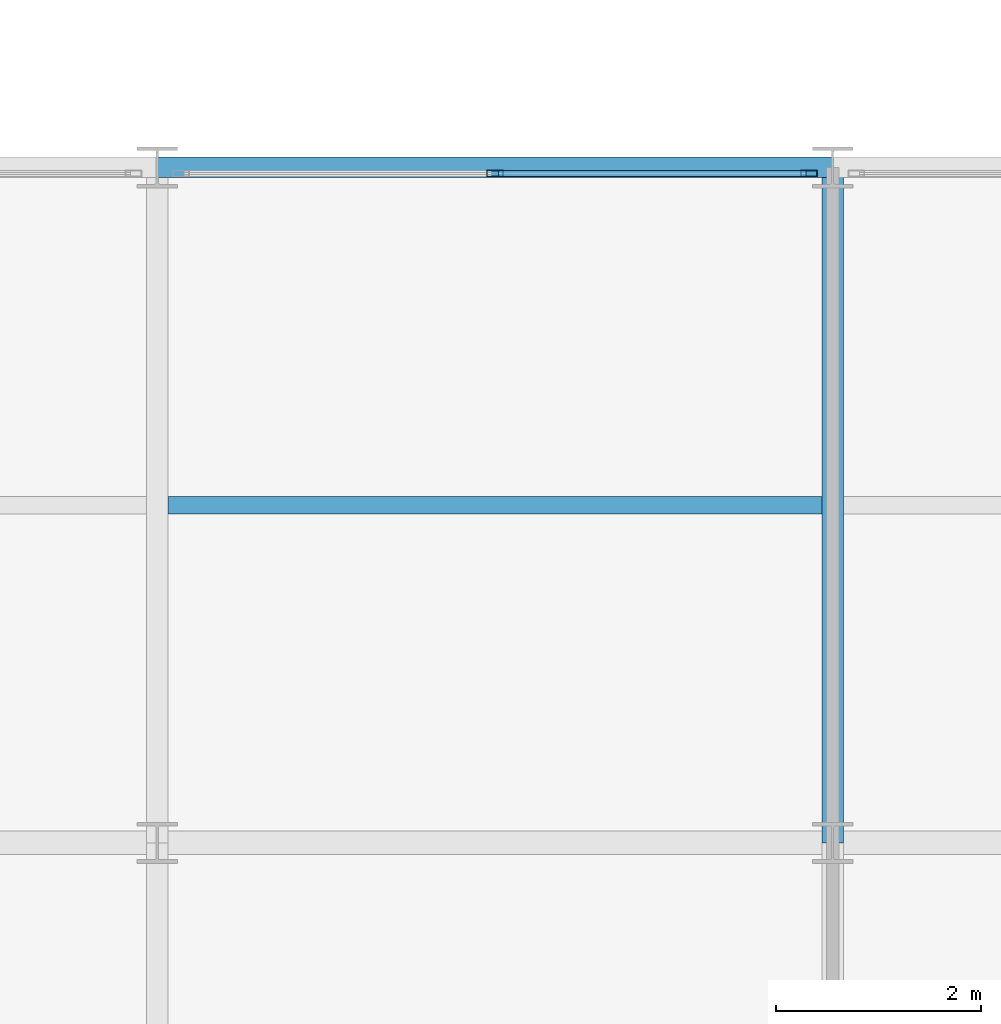
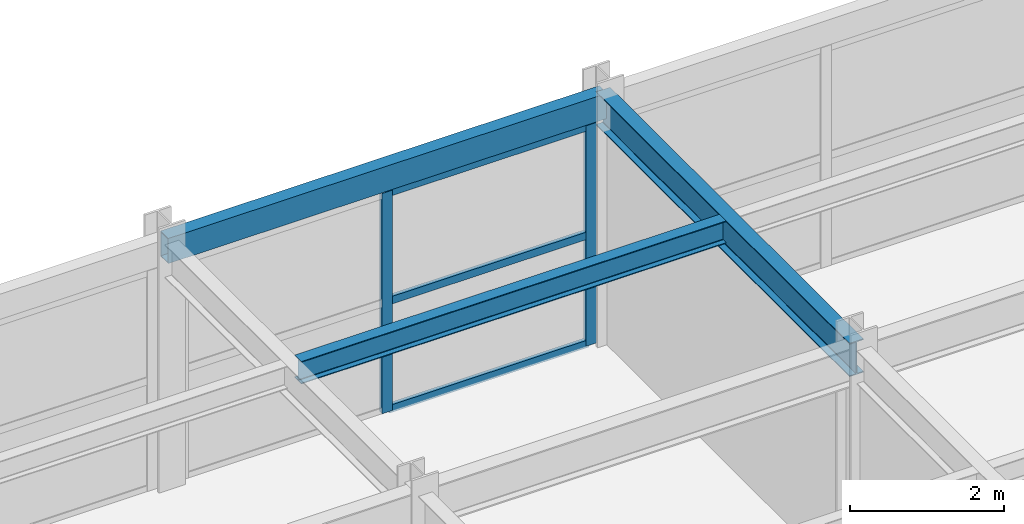
# One storey, part 66 of 157: 5 members, 3 beams, 1 element without a shape of its own.
"""IFC4 building model written with IfcOpenShell, lengths in metres."""

from ifc_helpers import new_model, si_unit, direction, frame, origin, origin_2d, place, context, subcontext, project, spatial, hollow_rectangle, i_section, extrude, material, material_profile, profile_set, type_object, element, aggregate, save


model = new_model("IFC4")

# Units and contexts
model_context = context("Model", 3, precision=1e-05, world=origin(), true_north=direction((0.0, 1.0)))
body_context = subcontext(model_context, "Body", "Model", "MODEL_VIEW")
ifc_project = project(units=[si_unit("LENGTHUNIT", "METRE"), si_unit("AREAUNIT", "SQUARE_METRE"), si_unit("VOLUMEUNIT", "CUBIC_METRE"), si_unit("PLANEANGLEUNIT", "RADIAN"), si_unit("MASSUNIT", "GRAM", prefix="KILO")], contexts=[model_context])

# Site, building, storey
site_placement = place(None, origin())
site = spatial("IfcSite", under=ifc_project, at=site_placement, CompositionType="ELEMENT")
building_placement = place(site_placement, origin())
building = spatial("IfcBuilding", under=site, at=building_placement, Name="Karori Crest Natural Sciences Institute", CompositionType="ELEMENT")
storey_placement = place(building_placement, frame((0.0, 0.0, 13.300048828125)))
storey = spatial("IfcBuildingStorey", under=building, at=storey_placement, Name="L03", CompositionType="ELEMENT", Elevation=13.300048828125)

# Beams
ifc_material_1 = material(Name="Structural steel AS/NZS 3679.1 Grade 350", Category="steel")
ifc_material_profile_1 = material_profile(ifc_material_1, i_section(OverallWidth=0.208984375, OverallDepth=0.532958984375, WebThickness=0.01025390625, FlangeThickness=0.015625, FilletRadius=0.013916015625, at=origin_2d()), Name="530UB92.4")
ifc_profile_set_1 = profile_set([ifc_material_profile_1], Name="Structural steel AS/NZS 3679.1 Grade 350")
beam_type_1 = type_object("IfcBeamType", Name="BT-05", PredefinedType="BEAM", material=ifc_profile_set_1)
beam_1_placement = place(storey_placement, frame((116.800048828125, 14.0, 3.653564453125), z_axis=(0.0, 1.0, 0.0), x_axis=(-1.0, 0.0, 0.0)))
element("IfcBeam", 1, at=beam_1_placement, inside=storey, type_object=beam_type_1, Name="Beam B-2323", PredefinedType="BEAM", context=body_context, shape_type="SweptSolid", body=[
    extrude(i_section(OverallWidth=0.208984375, OverallDepth=0.532958984375, WebThickness=0.01025390625, FlangeThickness=0.015625, FilletRadius=0.013916015625, at=origin_2d()), origin(), (0.0, 0.0, 1.0), 6.60009765625),
])
ifc_material_profile_2 = material_profile(ifc_material_1, i_section(OverallWidth=0.172119140625, OverallDepth=0.35888671875, WebThickness=0.008056640625, FlangeThickness=0.012939453125, FilletRadius=0.010986328125, at=origin_2d()), Name="360UB56.7")
ifc_profile_set_2 = profile_set([ifc_material_profile_2], Name="Structural steel AS/NZS 3679.1 Grade 350")
beam_type_2 = type_object("IfcBeamType", Name="BT-08", PredefinedType="BEAM", material=ifc_profile_set_2)
beam_2_placement = place(storey_placement, frame((110.304443359375, 17.300048828125, 3.740478515625), z_axis=(1.0, 0.0, 0.0), x_axis=(0.0, 1.0, 0.0)))
element("IfcBeam", 2, at=beam_2_placement, inside=storey, type_object=beam_type_2, Name="Beam B-2348", PredefinedType="BEAM", context=body_context, shape_type="SweptSolid", body=[
    extrude(i_section(OverallWidth=0.172119140625, OverallDepth=0.35888671875, WebThickness=0.008056640625, FlangeThickness=0.012939453125, FilletRadius=0.010986328125, at=origin_2d()), origin(), (0.0, 0.0, 1.0), 6.39111328125),
])
ifc_material_2 = material(Name="Hollow structural steel AS/NZS 1163 Grade C350", Category="steel")
ifc_material_profile_3 = material_profile(ifc_material_2, hollow_rectangle(XDim=0.199951171875, YDim=0.39990234375, WallThickness=0.012451171875, at=origin_2d()), Name="RHS400x200x12.5")
ifc_profile_set_3 = profile_set([ifc_material_profile_3], Name="Hollow structural steel AS/NZS 1163 Grade C350")
beam_type_3 = type_object("IfcBeamType", Name="BT-14", PredefinedType="SPANDREL", material=ifc_profile_set_3)
beam_3_placement = place(storey_placement, frame((110.199951171875, 20.60009765625, 3.719970703125), z_axis=(1.0, 0.0, 0.0), x_axis=(0.0, 1.0, 0.0)))
element("IfcBeam", 3, at=beam_3_placement, inside=storey, type_object=beam_type_3, Name="Beam B-2307", PredefinedType="SPANDREL", context=body_context, shape_type="SweptSolid", body=[
    extrude(hollow_rectangle(XDim=0.199951171875, YDim=0.39990234375, WallThickness=0.012451171875, at=origin_2d()), origin(), (0.0, 0.0, 1.0), 6.60009765625),
])

# Curtain wall, members
ifc_material_3 = material(Name="Anodised architectural aluminium 6063-T6", Category="aluminium")
curtain_wall_type = type_object("IfcCurtainWallType", Name="CWT-20", PredefinedType="NOTDEFINED", material=ifc_material_3)
curtain_wall_placement = place(storey_placement, origin())
curtain_wall = element("IfcCurtainWall", 4, at=curtain_wall_placement, inside=storey, type_object=curtain_wall_type, Name="Curtain wall CW-0323", PredefinedType="NOTDEFINED")
ifc_material_profile_4 = material_profile(ifc_material_3, hollow_rectangle(XDim=0.06494140625, YDim=0.159912109375, WallThickness=0.00390625, at=origin_2d()), Name="CWM160x65x4")
ifc_profile_set_4 = profile_set([ifc_material_profile_4], Name="Anodised architectural aluminium 6063-T6")
member_type_1 = type_object("IfcMemberType", Name="CWM-01", PredefinedType="MULLION", material=ifc_profile_set_4)
member_1_placement = place(storey_placement, frame((113.5, 20.5400390625, 0.0), z_axis=(0.0, 0.0, 1.0), x_axis=(0.0, 1.0, 0.0)))
member_1 = element("IfcMember", 5, at=member_1_placement, type_object=member_type_1, Name="CW-0323 mullion 2", PredefinedType="MULLION", context=body_context, shape_type="SweptSolid", body=[
    extrude(hollow_rectangle(XDim=0.06494140625, YDim=0.159912109375, WallThickness=0.00390625, at=origin_2d()), origin(), (0.0, 0.0, 1.0), 3.5048828125),
])
member_2_placement = place(storey_placement, frame((116.569580078125, 20.5400390625, 0.0), z_axis=(0.0, 0.0, 1.0), x_axis=(0.0, 1.0, 0.0)))
member_2 = element("IfcMember", 6, at=member_2_placement, type_object=member_type_1, Name="CW-0323 mullion 3", PredefinedType="MULLION", context=body_context, shape_type="SweptSolid", body=[
    extrude(hollow_rectangle(XDim=0.06494140625, YDim=0.159912109375, WallThickness=0.00390625, at=origin_2d()), origin(), (0.0, 0.0, 1.0), 3.5048828125),
])
ifc_material_profile_5 = material_profile(ifc_material_3, hollow_rectangle(XDim=0.06005859375, YDim=0.1201171875, WallThickness=0.00390625, at=origin_2d()), Name="CWT120x60x4")
ifc_profile_set_5 = profile_set([ifc_material_profile_5], Name="Anodised architectural aluminium 6063-T6")
member_type_2 = type_object("IfcMemberType", Name="CWT-TR1", PredefinedType="USERDEFINED", material=ifc_profile_set_5)
member_3_placement = place(storey_placement, frame((113.532470703125, 20.5400390625, 0.030029296875), z_axis=(1.0, 0.0, 0.0), x_axis=(0.0, 1.0, 0.0)))
member_3 = element("IfcMember", 7, at=member_3_placement, type_object=member_type_2, Name="CW-0323 transom 2.1", ObjectType="TRANSOM", PredefinedType="USERDEFINED", context=body_context, shape_type="SweptSolid", body=[
    extrude(hollow_rectangle(XDim=0.06005859375, YDim=0.1201171875, WallThickness=0.00390625, at=origin_2d()), origin(), (0.0, 0.0, 1.0), 3.004638671875),
])
member_4_placement = place(storey_placement, frame((113.532470703125, 20.5400390625, 1.75244140625), z_axis=(1.0, 0.0, 0.0), x_axis=(0.0, 1.0, 0.0)))
member_4 = element("IfcMember", 8, at=member_4_placement, type_object=member_type_2, Name="CW-0323 transom 2.2", ObjectType="TRANSOM", PredefinedType="USERDEFINED", context=body_context, shape_type="SweptSolid", body=[
    extrude(hollow_rectangle(XDim=0.06005859375, YDim=0.1201171875, WallThickness=0.00390625, at=origin_2d()), origin(), (0.0, 0.0, 1.0), 3.004638671875),
])
member_5_placement = place(storey_placement, frame((113.532470703125, 20.5400390625, 3.474853515625), z_axis=(1.0, 0.0, 0.0), x_axis=(0.0, 1.0, 0.0)))
member_5 = element("IfcMember", 9, at=member_5_placement, type_object=member_type_2, Name="CW-0323 transom 2.3", ObjectType="TRANSOM", PredefinedType="USERDEFINED", context=body_context, shape_type="SweptSolid", body=[
    extrude(hollow_rectangle(XDim=0.06005859375, YDim=0.1201171875, WallThickness=0.00390625, at=origin_2d()), origin(), (0.0, 0.0, 1.0), 3.004638671875),
])
aggregate(curtain_wall, [member_1, member_2, member_3, member_4, member_5])

save(model, "model.ifc")
